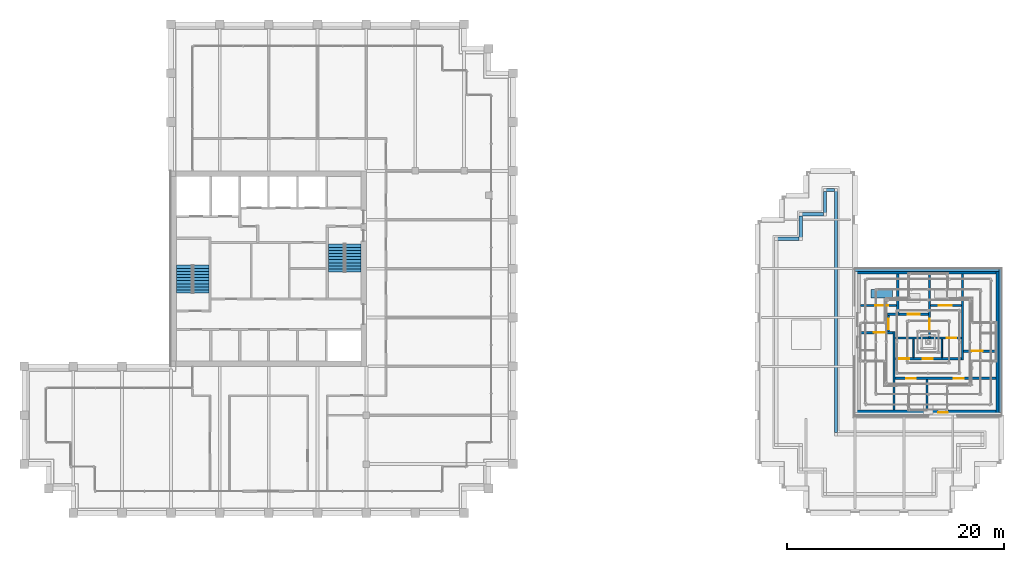
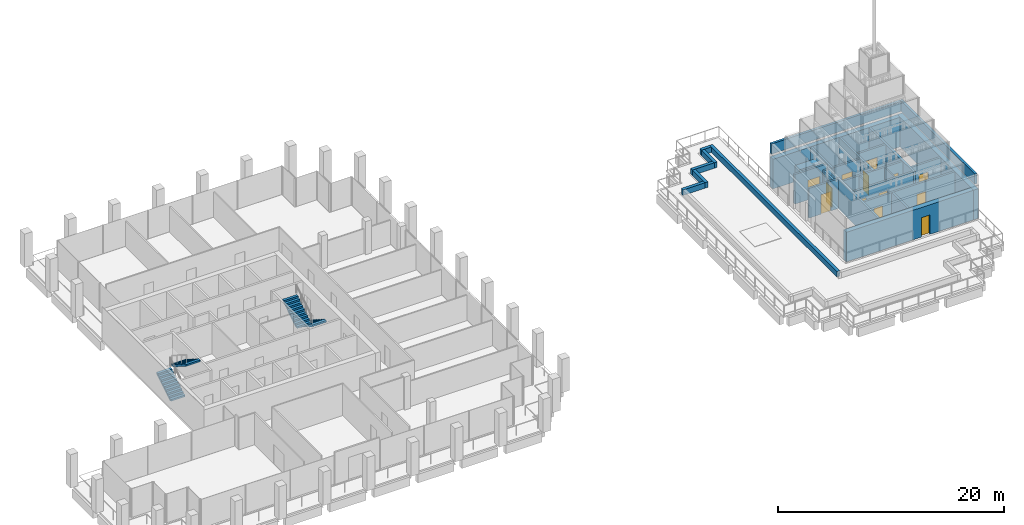
# One storey, part 57 of 62: 28 walls, 13 doors, 4 stair flights, 1 discrete accessory, 13 openings, 2 elements without a shape of their own.
"""IFC4 building model written with IfcOpenShell, lengths in metres."""

from ifc_helpers import new_model, si_unit, direction, frame, frame_2d, origin, origin_2d, place, context, subcontext, project, spatial, polyline, rectangle, outline, extrude, material, layer, layer_set, type_object, element, fill, aggregate, save


model = new_model("IFC4")

# Units and contexts
model_context = context("Model", 3, precision=1e-05, world=origin(), true_north=direction((0.0, 1.0)))
body_context = subcontext(model_context, "Body", "Model", "MODEL_VIEW")
ifc_project = project(units=[si_unit("LENGTHUNIT", "METRE"), si_unit("AREAUNIT", "SQUARE_METRE"), si_unit("VOLUMEUNIT", "CUBIC_METRE"), si_unit("PLANEANGLEUNIT", "RADIAN"), si_unit("MASSUNIT", "GRAM", prefix="KILO")], contexts=[model_context])

# Site, building, storey
site_placement = place(None, origin())
site = spatial("IfcSite", under=ifc_project, at=site_placement, CompositionType="ELEMENT")
building_placement = place(site_placement, origin())
building = spatial("IfcBuilding", under=site, at=building_placement, Name="Altepetl Exchange Towers", CompositionType="ELEMENT")
storey_placement = place(building_placement, frame((0.0, 0.0, 210.0)))
storey = spatial("IfcBuildingStorey", under=building, at=storey_placement, Name="L53", CompositionType="ELEMENT", Elevation=210.0)

# Walls
ifc_material_1 = material(Name="Concrete C70/85", Category="concrete")
ifc_layer_1 = layer(ifc_material_1, 0.5)
ifc_layer_set_1 = layer_set([ifc_layer_1], Name="Concrete C70/85")
wall_type_1 = type_object("IfcWallType", Name="Core wall 500 reinforced concrete external", PredefinedType="SHEAR", material=ifc_layer_set_1)
wall_1_placement = place(storey_placement, frame((116.75, 36.0, 0.0), z_axis=(0.0, 0.0, 1.0), x_axis=(0.0, 1.0, 0.0)))
element("IfcWall", 1, at=wall_1_placement, inside=storey, type_object=wall_type_1, Name="wall:B:L53:K-coreE", PredefinedType="SHEAR", context=body_context, shape_type="SweptSolid", body=[
    extrude(rectangle(XDim=13.5, YDim=0.5, at=frame_2d((6.75, 0.0))), origin(), (0.0, 0.0, 1.0), 3.199951171875),
])
wall_2_placement = place(storey_placement, frame((103.5, 49.25, 0.0)))
element("IfcWall", 2, at=wall_2_placement, inside=storey, type_object=wall_type_1, Name="wall:B:L53:K-coreN", PredefinedType="SHEAR", context=body_context, shape_type="SweptSolid", body=[
    extrude(rectangle(XDim=13.0, YDim=0.5, at=frame_2d((6.5, 0.0))), origin(), (0.0, 0.0, 1.0), 3.199951171875),
])

# Wall, opening, door
wall_3_placement = place(storey_placement, frame((103.5, 36.25, 0.0)))
wall_3 = element("IfcWall", 3, at=wall_3_placement, inside=storey, type_object=wall_type_1, Name="wall:B:L53:K-coreS", PredefinedType="SHEAR", context=body_context, shape_type="SweptSolid", body=[
    extrude(rectangle(XDim=13.0, YDim=0.5, at=frame_2d((6.5, 0.0))), origin(), (0.0, 0.0, 1.0), 3.199951171875),
])
opening_1_placement = place(wall_3_placement, frame((7.64990234375, 0.0, 0.0)))
opening_1 = element("IfcOpeningElement", 4, at=opening_1_placement, cuts=wall_3, Name="Opening L53.B60", PredefinedType="OPENING", context=body_context, shape_type="SweptSolid", body=[
    extrude(rectangle(XDim=0.89990234375, YDim=2.10009765625, at=frame_2d((0.449951171875, 1.050048828125))), frame((0.0, 0.260009765625, 0.0), z_axis=(0.0, -1.0, 0.0), x_axis=(1.0, 0.0, 0.0)), (0.0, 0.0, 1.0), 0.52001953125),
])
ifc_material_2 = material(Name="Steel and timber fire door", Category="steel")
door_type_1 = type_object("IfcDoorType", Name="Fire door 900 x 2100 service room", OperationType="SINGLE_SWING_LEFT", PredefinedType="DOOR", material=ifc_material_2)
door_1_placement = place(opening_1_placement, frame((0.89990234375, 0.0, 0.0), x_axis=(-1.0, 0.0, 0.0)))
door_1 = element("IfcDoor", 5, at=door_1_placement, inside=storey, type_object=door_type_1, Name="Crown terrace door", OperationType="SINGLE_SWING_LEFT", OverallHeight=2.10009765625, OverallWidth=0.89990234375, PredefinedType="DOOR", context=body_context, shape_type="SweptSolid", body=[
    extrude(rectangle(XDim=0.89990234375, YDim=2.10009765625, at=frame_2d((0.449951171875, 1.050048828125))), frame((0.0, 0.02490234375, 0.0), z_axis=(0.0, -1.0, 0.0), x_axis=(1.0, 0.0, 0.0)), (0.0, 0.0, 1.0), 0.050048828125),
])
fill(opening_1, door_1)

# Wall
ifc_material_3 = material(Name="Concrete blockwork", Category="masonry")
ifc_layer_2 = layer(ifc_material_3, 0.199951171875)
ifc_layer_set_2 = layer_set([ifc_layer_2], Name="Concrete blockwork")
wall_type_2 = type_object("IfcWallType", Name="Lobby wall 200 blockwork", PredefinedType="PARTITIONING", material=ifc_layer_set_2)
wall_4_placement = place(storey_placement, frame((106.5, 45.300048828125, 0.0)))
element("IfcWall", 6, at=wall_4_placement, inside=storey, type_object=wall_type_2, Name="wall:B:L53:K-ffNw", PredefinedType="PARTITIONING", context=body_context, shape_type="SweptSolid", body=[
    extrude(rectangle(XDim=0.833251953125, YDim=0.199951171875, at=frame_2d((0.41650390625, 0.0))), origin(), (0.0, 0.0, 1.0), 3.199951171875),
])

# Wall, opening, door
wall_5_placement = place(storey_placement, frame((106.60009765625, 43.699951171875, 0.0), z_axis=(0.0, 0.0, 1.0), x_axis=(0.0, 1.0, 0.0)))
wall_5 = element("IfcWall", 7, at=wall_5_placement, inside=storey, type_object=wall_type_2, Name="wall:B:L53:K-ffW", PredefinedType="PARTITIONING", context=body_context, shape_type="SweptSolid", body=[
    extrude(rectangle(XDim=1.5, YDim=0.199951171875, at=frame_2d((0.75, 0.0))), origin(), (0.0, 0.0, 1.0), 3.199951171875),
])
opening_2_placement = place(wall_5_placement, frame((0.199951171875, 0.0, 0.0)))
opening_2 = element("IfcOpeningElement", 8, at=opening_2_placement, cuts=wall_5, Name="Opening L53.B66", PredefinedType="OPENING", context=body_context, shape_type="SweptSolid", body=[
    extrude(rectangle(XDim=1.0, YDim=2.10009765625, at=frame_2d((0.5, 1.050048828125))), frame((0.0, 0.10986328125, 0.0), z_axis=(0.0, -1.0, 0.0), x_axis=(1.0, 0.0, 0.0)), (0.0, 0.0, 1.0), 0.219970703125),
])
door_type_2 = type_object("IfcDoorType", Name="Fire door 1000 x 2100 stair and lobby", OperationType="SINGLE_SWING_LEFT", PredefinedType="DOOR", material=ifc_material_2)
door_2_placement = place(opening_2_placement, frame((1.0, 0.0, 0.0), x_axis=(-1.0, 0.0, 0.0)))
door_2 = element("IfcDoor", 9, at=door_2_placement, inside=storey, type_object=door_type_2, Name="door:B:L53:K-dffW", OperationType="SINGLE_SWING_LEFT", OverallHeight=2.10009765625, OverallWidth=1.0, PredefinedType="DOOR", context=body_context, shape_type="SweptSolid", body=[
    extrude(rectangle(XDim=1.0, YDim=2.10009765625, at=frame_2d((0.5, 1.050048828125))), frame((0.0, 0.02490234375, 0.0), z_axis=(0.0, -1.0, 0.0), x_axis=(1.0, 0.0, 0.0)), (0.0, 0.0, 1.0), 0.050048828125),
])
fill(opening_2, door_2)

wall_6_placement = place(storey_placement, frame((107.199951171875, 43.10009765625, 0.0)))
wall_6 = element("IfcWall", 10, at=wall_6_placement, inside=storey, type_object=wall_type_2, Name="wall:B:L53:K-zoneN", PredefinedType="PARTITIONING", context=body_context, shape_type="SweptSolid", body=[
    extrude(rectangle(XDim=6.10009765625, YDim=0.199951171875, at=frame_2d((3.050048828125, 0.0))), origin(), (0.0, 0.0, 1.0), 3.199951171875),
])
opening_3_placement = place(wall_6_placement, frame((4.75, 0.0, 0.0)))
opening_3 = element("IfcOpeningElement", 11, at=opening_3_placement, cuts=wall_6, Name="Opening L53.B71", PredefinedType="OPENING", context=body_context, shape_type="SweptSolid", body=[
    extrude(rectangle(XDim=0.89990234375, YDim=2.10009765625, at=frame_2d((0.449951171875, 1.050048828125))), frame((0.0, 0.10986328125, 0.0), z_axis=(0.0, -1.0, 0.0), x_axis=(1.0, 0.0, 0.0)), (0.0, 0.0, 1.0), 0.219970703125),
])
door_3_placement = place(opening_3_placement, frame((0.89990234375, 0.0, 0.0), x_axis=(-1.0, 0.0, 0.0)))
door_3 = element("IfcDoor", 12, at=door_3_placement, inside=storey, type_object=door_type_1, Name="door:B:L53:K-dz3", OperationType="SINGLE_SWING_LEFT", OverallHeight=2.10009765625, OverallWidth=0.89990234375, PredefinedType="DOOR", context=body_context, shape_type="SweptSolid", body=[
    extrude(rectangle(XDim=0.89990234375, YDim=2.10009765625, at=frame_2d((0.449951171875, 1.050048828125))), frame((0.0, 0.02490234375, 0.0), z_axis=(0.0, -1.0, 0.0), x_axis=(1.0, 0.0, 0.0)), (0.0, 0.0, 1.0), 0.050048828125),
])
fill(opening_3, door_3)

# Wall, openings, doors
wall_7_placement = place(storey_placement, frame((107.199951171875, 41.199951171875, 0.0)))
wall_7 = element("IfcWall", 13, at=wall_7_placement, inside=storey, type_object=wall_type_2, Name="wall:B:L53:K-zoneS", PredefinedType="PARTITIONING", context=body_context, shape_type="SweptSolid", body=[
    extrude(rectangle(XDim=6.10009765625, YDim=0.199951171875, at=frame_2d((3.050048828125, 0.0))), origin(), (0.0, 0.0, 1.0), 3.199951171875),
])
opening_4_placement = place(wall_7_placement, frame((0.39990234375, 0.0, 0.0)))
opening_4 = element("IfcOpeningElement", 14, at=opening_4_placement, cuts=wall_7, Name="Opening L53.B69", PredefinedType="OPENING", context=body_context, shape_type="SweptSolid", body=[
    extrude(rectangle(XDim=0.89990234375, YDim=2.10009765625, at=frame_2d((0.449951171875, 1.050048828125))), frame((0.0, 0.10986328125, 0.0), z_axis=(0.0, -1.0, 0.0), x_axis=(1.0, 0.0, 0.0)), (0.0, 0.0, 1.0), 0.219970703125),
])
opening_5_placement = place(wall_7_placement, frame((2.550048828125, 0.0, 0.0)))
opening_5 = element("IfcOpeningElement", 15, at=opening_5_placement, cuts=wall_7, Name="Opening L53.B70", PredefinedType="OPENING", context=body_context, shape_type="SweptSolid", body=[
    extrude(rectangle(XDim=0.89990234375, YDim=2.10009765625, at=frame_2d((0.449951171875, 1.050048828125))), frame((0.0, 0.10986328125, 0.0), z_axis=(0.0, -1.0, 0.0), x_axis=(1.0, 0.0, 0.0)), (0.0, 0.0, 1.0), 0.219970703125),
])
door_4_placement = place(opening_4_placement, origin())
door_4 = element("IfcDoor", 16, at=door_4_placement, inside=storey, type_object=door_type_1, Name="door:B:L53:K-dz1", OperationType="SINGLE_SWING_RIGHT", OverallHeight=2.10009765625, OverallWidth=0.89990234375, PredefinedType="DOOR", context=body_context, shape_type="SweptSolid", body=[
    extrude(rectangle(XDim=0.89990234375, YDim=2.10009765625, at=frame_2d((0.449951171875, 1.050048828125))), frame((0.0, 0.02490234375, 0.0), z_axis=(0.0, -1.0, 0.0), x_axis=(1.0, 0.0, 0.0)), (0.0, 0.0, 1.0), 0.050048828125),
])
fill(opening_4, door_4)
door_5_placement = place(opening_5_placement, origin())
door_5 = element("IfcDoor", 17, at=door_5_placement, inside=storey, type_object=door_type_1, Name="door:B:L53:K-dz2", OperationType="SINGLE_SWING_LEFT", OverallHeight=2.10009765625, OverallWidth=0.89990234375, PredefinedType="DOOR", context=body_context, shape_type="SweptSolid", body=[
    extrude(rectangle(XDim=0.89990234375, YDim=2.10009765625, at=frame_2d((0.449951171875, 1.050048828125))), frame((0.0, 0.02490234375, 0.0), z_axis=(0.0, -1.0, 0.0), x_axis=(1.0, 0.0, 0.0)), (0.0, 0.0, 1.0), 0.050048828125),
])
fill(opening_5, door_5)

# Walls
ifc_material_4 = material(Name="Gypsum board on steel studs", Category="steel")
ifc_layer_3 = layer(ifc_material_4, 0.125)
ifc_layer_set_3 = layer_set([ifc_layer_3], Name="Gypsum board on steel studs")
wall_type_3 = type_object("IfcWallType", Name="Partition 125 gypsum board on steel studs", PredefinedType="PARTITIONING", material=ifc_layer_set_3)
for number, where, z_axis, x_axis, name in (
    (18, (108.89990234375, 41.300048828125, 0.0), (0.0, 0.0, 1.0), (0.0, 1.0, 0.0), "wall:B:L53:K-zp1"),
    (19, (111.5, 41.300048828125, 0.0), (0.0, 0.0, 1.0), (0.0, 1.0, 0.0), "wall:B:L53:K-zp2"),
):
    element("IfcWall", number, at=place(storey_placement, frame(where, z_axis=z_axis, x_axis=x_axis)), inside=storey, type_object=wall_type_3, Name=name, PredefinedType="PARTITIONING", context=body_context, shape_type="SweptSolid", body=[
        extrude(rectangle(XDim=1.699951171875, YDim=0.125, at=frame_2d((0.85009765625, 0.0))), origin(), (0.0, 0.0, 1.0), 3.199951171875),
    ])
ifc_material_5 = material(Name="Concrete C30/37", Category="concrete")
ifc_layer_4 = layer(ifc_material_5, 0.300048828125)
ifc_layer_set_4 = layer_set([ifc_layer_4], Name="Concrete C30/37")
wall_type_4 = type_object("IfcWallType", Name="Planter wall 300 concrete", PredefinedType="SOLIDWALL", material=ifc_layer_set_4)
wall_8_placement = place(storey_placement, frame((101.75, 34.39990234375, 0.0), z_axis=(0.0, 0.0, 1.0), x_axis=(0.0, 1.0, 0.0)))
element("IfcWall", 20, at=wall_8_placement, inside=storey, type_object=wall_type_4, Name="Planter bed wall", PredefinedType="SOLIDWALL", context=body_context, shape_type="SweptSolid", body=[
    extrude(rectangle(XDim=22.5, YDim=0.300048828125, at=frame_2d((11.25, 0.0))), origin(), (0.0, 0.0, 1.0), 0.60009765625),
])
wall_9_placement = place(storey_placement, frame((101.60009765625, 56.75, 0.0), z_axis=(0.0, 0.0, 1.0), x_axis=(-1.0, 0.0, 0.0)))
element("IfcWall", 21, at=wall_9_placement, inside=storey, type_object=wall_type_4, Name="Planter bed wall", PredefinedType="SOLIDWALL", context=body_context, shape_type="SweptSolid", body=[
    extrude(rectangle(XDim=1.0, YDim=0.300048828125, at=frame_2d((0.5, 0.0))), origin(), (0.0, 0.0, 1.0), 0.60009765625),
])
for number, where, z_axis, x_axis, name in (
    (22, (100.75, 56.60009765625, 0.0), (0.0, 0.0, 1.0), (0.0, -1.0, 0.0), "Planter bed wall"),
    (23, (100.60009765625, 54.5, 0.0), (0.0, 0.0, 1.0), (-1.0, 0.0, 0.0), "Planter bed wall"),
    (24, (98.5, 54.35009765625, 0.0), (0.0, 0.0, 1.0), (0.0, -1.0, 0.0), "Planter bed wall"),
    (25, (98.35009765625, 52.25, 0.0), (0.0, 0.0, 1.0), (-1.0, 0.0, 0.0), "Planter bed wall"),
):
    element("IfcWall", number, at=place(storey_placement, frame(where, z_axis=z_axis, x_axis=x_axis)), inside=storey, type_object=wall_type_4, Name=name, PredefinedType="SOLIDWALL", context=body_context, shape_type="SweptSolid", body=[
        extrude(rectangle(XDim=2.25, YDim=0.300048828125, at=frame_2d((1.125, 0.0))), origin(), (0.0, 0.0, 1.0), 0.60009765625),
    ])
ifc_material_6 = material(Name="Concrete C40/50", Category="concrete")
ifc_layer_5 = layer(ifc_material_6, 0.199951171875)
ifc_layer_set_5 = layer_set([ifc_layer_5], Name="Concrete C40/50")
wall_type_5 = type_object("IfcWallType", Name="Shaft wall 200 reinforced concrete", PredefinedType="SHEAR", material=ifc_layer_set_5)
wall_10_placement = place(storey_placement, frame((107.433349609375, 49.0, 0.0), z_axis=(0.0, 0.0, 1.0), x_axis=(0.0, -1.0, 0.0)))
element("IfcWall", 26, at=wall_10_placement, inside=storey, type_object=wall_type_5, Name="wall:B:L53:K-divN1", PredefinedType="SHEAR", context=body_context, shape_type="SweptSolid", body=[
    extrude(rectangle(XDim=3.800048828125, YDim=0.199951171875, at=frame_2d((1.89990234375, 0.0))), origin(), (0.0, 0.0, 1.0), 3.199951171875),
])

# Wall, opening, door
wall_11_placement = place(storey_placement, frame((110.36669921875, 49.0, 0.0), z_axis=(0.0, 0.0, 1.0), x_axis=(0.0, -1.0, 0.0)))
wall_11 = element("IfcWall", 27, at=wall_11_placement, inside=storey, type_object=wall_type_5, Name="wall:B:L53:K-divN2", PredefinedType="SHEAR", context=body_context, shape_type="SweptSolid", body=[
    extrude(rectangle(XDim=5.89990234375, YDim=0.199951171875, at=frame_2d((2.949951171875, 0.0))), origin(), (0.0, 0.0, 1.0), 3.199951171875),
])
opening_6_placement = place(wall_11_placement, frame((4.10009765625, 0.0, 0.0)))
opening_6 = element("IfcOpeningElement", 28, at=opening_6_placement, cuts=wall_11, Name="Opening L53.B65", PredefinedType="OPENING", context=body_context, shape_type="SweptSolid", body=[
    extrude(rectangle(XDim=1.0, YDim=2.10009765625, at=frame_2d((0.5, 1.050048828125))), frame((0.0, 0.10986328125, 0.0), z_axis=(0.0, -1.0, 0.0), x_axis=(1.0, 0.0, 0.0)), (0.0, 0.0, 1.0), 0.219970703125),
])
door_6_placement = place(opening_6_placement, frame((1.0, 0.0, 0.0), x_axis=(-1.0, 0.0, 0.0)))
door_6 = element("IfcDoor", 29, at=door_6_placement, inside=storey, type_object=door_type_2, Name="door:B:L53:K-dffE", OperationType="SINGLE_SWING_RIGHT", OverallHeight=2.10009765625, OverallWidth=1.0, PredefinedType="DOOR", context=body_context, shape_type="SweptSolid", body=[
    extrude(rectangle(XDim=1.0, YDim=2.10009765625, at=frame_2d((0.5, 1.050048828125))), frame((0.0, 0.02490234375, 0.0), z_axis=(0.0, -1.0, 0.0), x_axis=(1.0, 0.0, 0.0)), (0.0, 0.0, 1.0), 0.050048828125),
])
fill(opening_6, door_6)

# Wall
wall_12_placement = place(storey_placement, frame((110.13330078125, 36.5, 0.0), z_axis=(0.0, 0.0, 1.0), x_axis=(0.0, 1.0, 0.0)))
element("IfcWall", 30, at=wall_12_placement, inside=storey, type_object=wall_type_5, Name="wall:B:L53:K-divS1", PredefinedType="SHEAR", context=body_context, shape_type="SweptSolid", body=[
    extrude(rectangle(XDim=2.800048828125, YDim=0.199951171875, at=frame_2d((1.39990234375, 0.0))), origin(), (0.0, 0.0, 1.0), 3.199951171875),
])

# Wall, opening, door
wall_13_placement = place(storey_placement, frame((104.0, 46.10009765625, 0.0)))
wall_13 = element("IfcWall", 31, at=wall_13_placement, inside=storey, type_object=wall_type_5, Name="wall:B:L53:K-frontNa", PredefinedType="SHEAR", context=body_context, shape_type="SweptSolid", body=[
    extrude(rectangle(XDim=3.333251953125, YDim=0.199951171875, at=frame_2d((1.66650390625, 0.0))), origin(), (0.0, 0.0, 1.0), 3.199951171875),
])
opening_7_placement = place(wall_13_placement, frame((1.36669921875, 0.0, 0.0)))
opening_7 = element("IfcOpeningElement", 32, at=opening_7_placement, cuts=wall_13, Name="Opening L53.B73", PredefinedType="OPENING", context=body_context, shape_type="SweptSolid", body=[
    extrude(rectangle(XDim=1.199951171875, YDim=2.10009765625, at=frame_2d((0.60009765625, 1.050048828125))), frame((0.0, 0.10986328125, 0.0), z_axis=(0.0, -1.0, 0.0), x_axis=(1.0, 0.0, 0.0)), (0.0, 0.0, 1.0), 0.219970703125),
])
ifc_material_7 = material(Name="Stainless steel", Category="steel")
door_type_3 = type_object("IfcDoorType", Name="Lift landing door 1200 x 2100", OperationType="SLIDING_TO_LEFT", PredefinedType="DOOR", material=ifc_material_7)
door_7_placement = place(opening_7_placement, origin())
door_7 = element("IfcDoor", 33, at=door_7_placement, inside=storey, type_object=door_type_3, Name="Landing door P4", OperationType="SLIDING_TO_LEFT", OverallHeight=2.10009765625, OverallWidth=1.199951171875, PredefinedType="DOOR", context=body_context, shape_type="SweptSolid", body=[
    extrude(rectangle(XDim=1.199951171875, YDim=2.10009765625, at=frame_2d((0.60009765625, 1.050048828125))), frame((0.0, 0.02490234375, 0.0), z_axis=(0.0, -1.0, 0.0), x_axis=(1.0, 0.0, 0.0)), (0.0, 0.0, 1.0), 0.050048828125),
])
fill(opening_7, door_7)

wall_14_placement = place(storey_placement, frame((110.466796875, 46.10009765625, 0.0)))
wall_14 = element("IfcWall", 34, at=wall_14_placement, inside=storey, type_object=wall_type_5, Name="wall:B:L53:K-frontNb", PredefinedType="SHEAR", context=body_context, shape_type="SweptSolid", body=[
    extrude(rectangle(XDim=2.833251953125, YDim=0.199951171875, at=frame_2d((1.41650390625, 0.0))), origin(), (0.0, 0.0, 1.0), 3.199951171875),
])
opening_8_placement = place(wall_14_placement, frame((0.7666015625, 0.0, 0.0)))
opening_8 = element("IfcOpeningElement", 35, at=opening_8_placement, cuts=wall_14, Name="Opening L53.B74", PredefinedType="OPENING", context=body_context, shape_type="SweptSolid", body=[
    extrude(rectangle(XDim=1.199951171875, YDim=2.10009765625, at=frame_2d((0.60009765625, 1.050048828125))), frame((0.0, 0.10986328125, 0.0), z_axis=(0.0, -1.0, 0.0), x_axis=(1.0, 0.0, 0.0)), (0.0, 0.0, 1.0), 0.219970703125),
])
door_8_placement = place(opening_8_placement, origin())
door_8 = element("IfcDoor", 36, at=door_8_placement, inside=storey, type_object=door_type_3, Name="Landing door P5", OperationType="SLIDING_TO_LEFT", OverallHeight=2.10009765625, OverallWidth=1.199951171875, PredefinedType="DOOR", context=body_context, shape_type="SweptSolid", body=[
    extrude(rectangle(XDim=1.199951171875, YDim=2.10009765625, at=frame_2d((0.60009765625, 1.050048828125))), frame((0.0, 0.02490234375, 0.0), z_axis=(0.0, -1.0, 0.0), x_axis=(1.0, 0.0, 0.0)), (0.0, 0.0, 1.0), 0.050048828125),
])
fill(opening_8, door_8)

wall_15_placement = place(storey_placement, frame((107.533203125, 45.300048828125, 0.0)))
wall_15 = element("IfcWall", 37, at=wall_15_placement, inside=storey, type_object=wall_type_5, Name="wall:B:L53:K-frontNd", PredefinedType="SHEAR", context=body_context, shape_type="SweptSolid", body=[
    extrude(rectangle(XDim=2.7333984375, YDim=0.199951171875, at=frame_2d((1.36669921875, 0.0))), origin(), (0.0, 0.0, 1.0), 3.199951171875),
])
opening_9_placement = place(wall_15_placement, frame((0.816650390625, 0.0, 0.0)))
opening_9 = element("IfcOpeningElement", 38, at=opening_9_placement, cuts=wall_15, Name="Opening L53.B72", PredefinedType="OPENING", context=body_context, shape_type="SweptSolid", body=[
    extrude(rectangle(XDim=1.10009765625, YDim=2.10009765625, at=frame_2d((0.550048828125, 1.050048828125))), frame((0.0, 0.10986328125, 0.0), z_axis=(0.0, -1.0, 0.0), x_axis=(1.0, 0.0, 0.0)), (0.0, 0.0, 1.0), 0.219970703125),
])
door_type_4 = type_object("IfcDoorType", Name="Lift landing door 1100 x 2100", OperationType="SLIDING_TO_LEFT", PredefinedType="DOOR", material=ifc_material_7)
door_9_placement = place(opening_9_placement, origin())
door_9 = element("IfcDoor", 39, at=door_9_placement, inside=storey, type_object=door_type_4, Name="Landing door FFL1", OperationType="SLIDING_TO_LEFT", OverallHeight=2.10009765625, OverallWidth=1.10009765625, PredefinedType="DOOR", context=body_context, shape_type="SweptSolid", body=[
    extrude(rectangle(XDim=1.10009765625, YDim=2.10009765625, at=frame_2d((0.550048828125, 1.050048828125))), frame((0.0, 0.02490234375, 0.0), z_axis=(0.0, -1.0, 0.0), x_axis=(1.0, 0.0, 0.0)), (0.0, 0.0, 1.0), 0.050048828125),
])
fill(opening_9, door_9)

# Wall, openings, doors
wall_16_placement = place(storey_placement, frame((107.199951171875, 39.39990234375, 0.0)))
wall_16 = element("IfcWall", 40, at=wall_16_placement, inside=storey, type_object=wall_type_5, Name="wall:B:L53:K-frontS", PredefinedType="SHEAR", context=body_context, shape_type="SweptSolid", body=[
    extrude(rectangle(XDim=9.300048828125, YDim=0.199951171875, at=frame_2d((4.64990234375, 0.0))), origin(), (0.0, 0.0, 1.0), 3.199951171875),
])
opening_10_placement = place(wall_16_placement, frame((1.0166015625, 0.0, 0.0)))
opening_10 = element("IfcOpeningElement", 41, at=opening_10_placement, cuts=wall_16, Name="Opening L53.B67", PredefinedType="OPENING", context=body_context, shape_type="SweptSolid", body=[
    extrude(rectangle(XDim=0.89990234375, YDim=2.10009765625, at=frame_2d((0.449951171875, 1.050048828125))), frame((0.0, 0.10986328125, 0.0), z_axis=(0.0, -1.0, 0.0), x_axis=(1.0, 0.0, 0.0)), (0.0, 0.0, 1.0), 0.219970703125),
])
opening_11_placement = place(wall_16_placement, frame((5.416748046875, 0.0, 0.0)))
opening_11 = element("IfcOpeningElement", 42, at=opening_11_placement, cuts=wall_16, Name="Opening L53.B68", PredefinedType="OPENING", context=body_context, shape_type="SweptSolid", body=[
    extrude(rectangle(XDim=0.89990234375, YDim=2.10009765625, at=frame_2d((0.449951171875, 1.050048828125))), frame((0.0, 0.10986328125, 0.0), z_axis=(0.0, -1.0, 0.0), x_axis=(1.0, 0.0, 0.0)), (0.0, 0.0, 1.0), 0.219970703125),
])
door_10_placement = place(opening_10_placement, frame((0.89990234375, 0.0, 0.0), x_axis=(-1.0, 0.0, 0.0)))
door_10 = element("IfcDoor", 43, at=door_10_placement, inside=storey, type_object=door_type_1, Name="door:B:L53:K-dslotS0", OperationType="SINGLE_SWING_LEFT", OverallHeight=2.10009765625, OverallWidth=0.89990234375, PredefinedType="DOOR", context=body_context, shape_type="SweptSolid", body=[
    extrude(rectangle(XDim=0.89990234375, YDim=2.10009765625, at=frame_2d((0.449951171875, 1.050048828125))), frame((0.0, 0.02490234375, 0.0), z_axis=(0.0, -1.0, 0.0), x_axis=(1.0, 0.0, 0.0)), (0.0, 0.0, 1.0), 0.050048828125),
])
fill(opening_10, door_10)
door_11_placement = place(opening_11_placement, frame((0.89990234375, 0.0, 0.0), x_axis=(-1.0, 0.0, 0.0)))
door_11 = element("IfcDoor", 44, at=door_11_placement, inside=storey, type_object=door_type_1, Name="door:B:L53:K-dslotS1", OperationType="SINGLE_SWING_LEFT", OverallHeight=2.10009765625, OverallWidth=0.89990234375, PredefinedType="DOOR", context=body_context, shape_type="SweptSolid", body=[
    extrude(rectangle(XDim=0.89990234375, YDim=2.10009765625, at=frame_2d((0.449951171875, 1.050048828125))), frame((0.0, 0.02490234375, 0.0), z_axis=(0.0, -1.0, 0.0), x_axis=(1.0, 0.0, 0.0)), (0.0, 0.0, 1.0), 0.050048828125),
])
fill(opening_11, door_11)

# Wall
ifc_layer_6 = layer(ifc_material_6, 0.199951171875)
ifc_layer_set_6 = layer_set([ifc_layer_6], Name="Concrete C40/50")
wall_type_6 = type_object("IfcWallType", Name="Stair wall 200 reinforced concrete", PredefinedType="SHEAR", material=ifc_layer_set_6)
wall_17_placement = place(storey_placement, frame((107.10009765625, 36.5, 0.0), z_axis=(0.0, 0.0, 1.0), x_axis=(0.0, 1.0, 0.0)))
element("IfcWall", 45, at=wall_17_placement, inside=storey, type_object=wall_type_6, Name="wall:B:L53:K-stS1E", PredefinedType="SHEAR", context=body_context, shape_type="SweptSolid", body=[
    extrude(rectangle(XDim=7.199951171875, YDim=0.199951171875, at=frame_2d((3.60009765625, 0.0))), origin(), (0.0, 0.0, 1.0), 3.199951171875),
])

# Wall, opening, door
wall_18_placement = place(storey_placement, frame((104.0, 43.60009765625, 0.0)))
wall_18 = element("IfcWall", 46, at=wall_18_placement, inside=storey, type_object=wall_type_6, Name="wall:B:L53:K-stS1N", PredefinedType="SHEAR", context=body_context, shape_type="SweptSolid", body=[
    extrude(rectangle(XDim=3.0, YDim=0.199951171875, at=frame_2d((1.5, 0.0))), origin(), (0.0, 0.0, 1.0), 3.199951171875),
])
opening_12_placement = place(wall_18_placement, frame((1.25, 0.0, 0.0)))
opening_12 = element("IfcOpeningElement", 47, at=opening_12_placement, cuts=wall_18, Name="Opening L53.B62", PredefinedType="OPENING", context=body_context, shape_type="SweptSolid", body=[
    extrude(rectangle(XDim=1.0, YDim=2.10009765625, at=frame_2d((0.5, 1.050048828125))), frame((0.0, 0.10986328125, 0.0), z_axis=(0.0, -1.0, 0.0), x_axis=(1.0, 0.0, 0.0)), (0.0, 0.0, 1.0), 0.219970703125),
])
door_12_placement = place(opening_12_placement, frame((1.0, 0.0, 0.0), x_axis=(-1.0, 0.0, 0.0)))
door_12 = element("IfcDoor", 48, at=door_12_placement, inside=storey, type_object=door_type_2, Name="door:B:L53:K-dS1in", OperationType="SINGLE_SWING_LEFT", OverallHeight=2.10009765625, OverallWidth=1.0, PredefinedType="DOOR", context=body_context, shape_type="SweptSolid", body=[
    extrude(rectangle(XDim=1.0, YDim=2.10009765625, at=frame_2d((0.5, 1.050048828125))), frame((0.0, 0.02490234375, 0.0), z_axis=(0.0, -1.0, 0.0), x_axis=(1.0, 0.0, 0.0)), (0.0, 0.0, 1.0), 0.050048828125),
])
fill(opening_12, door_12)

wall_19_placement = place(storey_placement, frame((113.5, 41.89990234375, 0.0)))
wall_19 = element("IfcWall", 49, at=wall_19_placement, inside=storey, type_object=wall_type_6, Name="wall:B:L53:K-stS2S", PredefinedType="SHEAR", context=body_context, shape_type="SweptSolid", body=[
    extrude(rectangle(XDim=3.0, YDim=0.199951171875, at=frame_2d((1.5, 0.0))), origin(), (0.0, 0.0, 1.0), 3.199951171875),
])
opening_13_placement = place(wall_19_placement, frame((0.75, 0.0, 0.0)))
opening_13 = element("IfcOpeningElement", 50, at=opening_13_placement, cuts=wall_19, Name="Opening L53.B64", PredefinedType="OPENING", context=body_context, shape_type="SweptSolid", body=[
    extrude(rectangle(XDim=1.0, YDim=2.10009765625, at=frame_2d((0.5, 1.050048828125))), frame((0.0, 0.10986328125, 0.0), z_axis=(0.0, -1.0, 0.0), x_axis=(1.0, 0.0, 0.0)), (0.0, 0.0, 1.0), 0.219970703125),
])
door_13_placement = place(opening_13_placement, origin())
door_13 = element("IfcDoor", 51, at=door_13_placement, inside=storey, type_object=door_type_2, Name="door:B:L53:K-dS2in", OperationType="SINGLE_SWING_RIGHT", OverallHeight=2.10009765625, OverallWidth=1.0, PredefinedType="DOOR", context=body_context, shape_type="SweptSolid", body=[
    extrude(rectangle(XDim=1.0, YDim=2.10009765625, at=frame_2d((0.5, 1.050048828125))), frame((0.0, 0.02490234375, 0.0), z_axis=(0.0, -1.0, 0.0), x_axis=(1.0, 0.0, 0.0)), (0.0, 0.0, 1.0), 0.050048828125),
])
fill(opening_13, door_13)

# Walls
wall_20_placement = place(storey_placement, frame((113.39990234375, 41.10009765625, 0.0), z_axis=(0.0, 0.0, 1.0), x_axis=(0.0, 1.0, 0.0)))
element("IfcWall", 52, at=wall_20_placement, inside=storey, type_object=wall_type_6, Name="wall:B:L53:K-stS2W", PredefinedType="SHEAR", context=body_context, shape_type="SweptSolid", body=[
    extrude(rectangle(XDim=7.89990234375, YDim=0.199951171875, at=frame_2d((3.949951171875, 0.0))), origin(), (0.0, 0.0, 1.0), 3.199951171875),
])
ifc_material_8 = material(Name="Cantera limestone cladding", Category="masonry")
ifc_layer_7 = layer(ifc_material_8, 0.25)
ifc_layer_set_7 = layer_set([ifc_layer_7], Name="Cantera limestone cladding")
wall_type_7 = type_object("IfcWallType", Name="Stone parapet 250", PredefinedType="PARAPET", material=ifc_layer_set_7)
for number, where, z_axis, x_axis, name in (
    (53, (116.875, 36.25, 3.60009765625), (0.0, 0.0, 1.0), (0.0, 1.0, 0.0), "Crown parapet"),
    (54, (116.75, 49.375, 3.60009765625), (0.0, 0.0, 1.0), (-1.0, 0.0, 0.0), "Crown parapet"),
):
    element("IfcWall", number, at=place(storey_placement, frame(where, z_axis=z_axis, x_axis=x_axis)), inside=storey, type_object=wall_type_7, Name=name, PredefinedType="PARAPET", context=body_context, shape_type="SweptSolid", body=[
        extrude(rectangle(XDim=13.25, YDim=0.25, at=frame_2d((6.625, 0.0))), origin(), (0.0, 0.0, 1.0), 1.099853515625),
    ])

# Stair, stair flights
stair_type = type_object("IfcStairType", Name="Exit stair 1450 flights dogleg", PredefinedType="HALF_TURN_STAIR", material=ifc_material_6)
stair_1_placement = place(storey_placement, origin())
stair_1 = element("IfcStair", 55, at=stair_1_placement, inside=storey, type_object=stair_type, Name="Exit stair 1", PredefinedType="HALF_TURN_STAIR")
stair_flight_type = type_object("IfcStairFlightType", Name="Stair flight 1450 wide", PredefinedType="STRAIGHT", material=ifc_material_6)
stair_flight_1_placement = place(storey_placement, frame((41.72509765625, 47.25, 0.0), z_axis=(0.0, 0.0, 1.0), x_axis=(0.0, 1.0, 0.0)))
stair_flight_1 = element("IfcStairFlight", 56, at=stair_flight_1_placement, type_object=stair_flight_type, Name="ST-A1f flight 1", NumberOfRisers=10, NumberOfTreads=9, PredefinedType="STRAIGHT", RiserHeight=0.18, TreadLength=0.285, context=body_context, shape_type="SweptSolid", body=[
    extrude(outline(polyline([(0.0, 0.0), (0.0, 0.179931640625), (0.284912109375, 0.179931640625), (0.284912109375, 0.360107421875), (0.570068359375, 0.360107421875), (0.570068359375, 0.5400390625), (0.85498046875, 0.5400390625), (0.85498046875, 0.719970703125), (1.139892578125, 0.719970703125), (1.139892578125, 0.89990234375), (1.425048828125, 0.89990234375), (1.425048828125, 1.080078125), (1.7099609375, 1.080078125), (1.7099609375, 1.260009765625), (1.9951171875, 1.260009765625), (1.9951171875, 1.43994140625), (2.280029296875, 1.43994140625), (2.280029296875, 1.6201171875), (2.56494140625, 1.6201171875), (2.56494140625, 1.800048828125), (2.56494140625, 1.442626953125), (0.28076171875, 0.0), (0.0, 0.0)])), frame((0.0, 0.72509765625, 0.0), z_axis=(0.0, -1.0, 0.0), x_axis=(1.0, 0.0, 0.0)), (0.0, 0.0, 1.0), 1.449951171875),
])
stair_flight_2_placement = place(storey_placement, frame((43.27490234375, 49.81494140625, 1.800048828125), z_axis=(0.0, 0.0, 1.0), x_axis=(0.0, -1.0, 0.0)))
stair_flight_2 = element("IfcStairFlight", 57, at=stair_flight_2_placement, type_object=stair_flight_type, Name="ST-A1f flight 2", NumberOfRisers=10, NumberOfTreads=9, PredefinedType="STRAIGHT", RiserHeight=0.18, TreadLength=0.285, context=body_context, shape_type="SweptSolid", body=[
    extrude(outline(polyline([(0.0, 0.0), (0.0, 0.179931640625), (0.284912109375, 0.179931640625), (0.284912109375, 0.360107421875), (0.570068359375, 0.360107421875), (0.570068359375, 0.5400390625), (0.85498046875, 0.5400390625), (0.85498046875, 0.719970703125), (1.139892578125, 0.719970703125), (1.139892578125, 0.89990234375), (1.425048828125, 0.89990234375), (1.425048828125, 1.080078125), (1.7099609375, 1.080078125), (1.7099609375, 1.260009765625), (1.9951171875, 1.260009765625), (1.9951171875, 1.43994140625), (2.280029296875, 1.43994140625), (2.280029296875, 1.6201171875), (2.56494140625, 1.6201171875), (2.56494140625, 1.800048828125), (2.56494140625, 1.442626953125), (0.28076171875, 0.0), (0.0, 0.0)])), frame((0.0, 0.72509765625, 0.0), z_axis=(0.0, -1.0, 0.0), x_axis=(1.0, 0.0, 0.0)), (0.0, 0.0, 1.0), 1.449951171875),
])
aggregate(stair_1, [stair_flight_1, stair_flight_2])

stair_2_placement = place(storey_placement, origin())
stair_2 = element("IfcStair", 58, at=stair_2_placement, inside=storey, type_object=stair_type, Name="Exit stair 2", PredefinedType="HALF_TURN_STAIR")
stair_flight_3_placement = place(storey_placement, frame((57.27490234375, 51.75, 0.0), z_axis=(0.0, 0.0, 1.0), x_axis=(0.0, -1.0, 0.0)))
stair_flight_3 = element("IfcStairFlight", 59, at=stair_flight_3_placement, type_object=stair_flight_type, Name="ST-A2f flight 1", NumberOfRisers=10, NumberOfTreads=9, PredefinedType="STRAIGHT", RiserHeight=0.18, TreadLength=0.285, context=body_context, shape_type="SweptSolid", body=[
    extrude(outline(polyline([(0.0, 0.0), (0.0, 0.179931640625), (0.284912109375, 0.179931640625), (0.284912109375, 0.360107421875), (0.570068359375, 0.360107421875), (0.570068359375, 0.5400390625), (0.85498046875, 0.5400390625), (0.85498046875, 0.719970703125), (1.139892578125, 0.719970703125), (1.139892578125, 0.89990234375), (1.425048828125, 0.89990234375), (1.425048828125, 1.080078125), (1.7099609375, 1.080078125), (1.7099609375, 1.260009765625), (1.9951171875, 1.260009765625), (1.9951171875, 1.43994140625), (2.280029296875, 1.43994140625), (2.280029296875, 1.6201171875), (2.56494140625, 1.6201171875), (2.56494140625, 1.800048828125), (2.56494140625, 1.442626953125), (0.28076171875, 0.0), (0.0, 0.0)])), frame((0.0, 0.72509765625, 0.0), z_axis=(0.0, -1.0, 0.0), x_axis=(1.0, 0.0, 0.0)), (0.0, 0.0, 1.0), 1.449951171875),
])
stair_flight_4_placement = place(storey_placement, frame((55.72509765625, 49.18505859375, 1.800048828125), z_axis=(0.0, 0.0, 1.0), x_axis=(0.0, 1.0, 0.0)))
stair_flight_4 = element("IfcStairFlight", 60, at=stair_flight_4_placement, type_object=stair_flight_type, Name="ST-A2f flight 2", NumberOfRisers=10, NumberOfTreads=9, PredefinedType="STRAIGHT", RiserHeight=0.18, TreadLength=0.285, context=body_context, shape_type="SweptSolid", body=[
    extrude(outline(polyline([(0.0, 0.0), (0.0, 0.179931640625), (0.284912109375, 0.179931640625), (0.284912109375, 0.360107421875), (0.570068359375, 0.360107421875), (0.570068359375, 0.5400390625), (0.85498046875, 0.5400390625), (0.85498046875, 0.719970703125), (1.139892578125, 0.719970703125), (1.139892578125, 0.89990234375), (1.425048828125, 0.89990234375), (1.425048828125, 1.080078125), (1.7099609375, 1.080078125), (1.7099609375, 1.260009765625), (1.9951171875, 1.260009765625), (1.9951171875, 1.43994140625), (2.280029296875, 1.43994140625), (2.280029296875, 1.6201171875), (2.56494140625, 1.6201171875), (2.56494140625, 1.800048828125), (2.56494140625, 1.442626953125), (0.28076171875, 0.0), (0.0, 0.0)])), frame((0.0, 0.72509765625, 0.0), z_axis=(0.0, -1.0, 0.0), x_axis=(1.0, 0.0, 0.0)), (0.0, 0.0, 1.0), 1.449951171875),
])
aggregate(stair_2, [stair_flight_3, stair_flight_4])

# Discrete accessory
discrete_accessory_placement = place(storey_placement, frame((105.966796875, 47.199951171875, 2.0)))
element("IfcDiscreteAccessory", 61, at=discrete_accessory_placement, inside=storey, Name="Lift machine P4", ObjectType="LIFT MACHINE", PredefinedType="USERDEFINED", context=body_context, shape_type="SweptSolid", body=[
    extrude(rectangle(XDim=2.0, YDim=0.800048828125, at=origin_2d()), origin(), (0.0, 0.0, 1.0), 0.89990234375),
])

save(model, "model.ifc")
